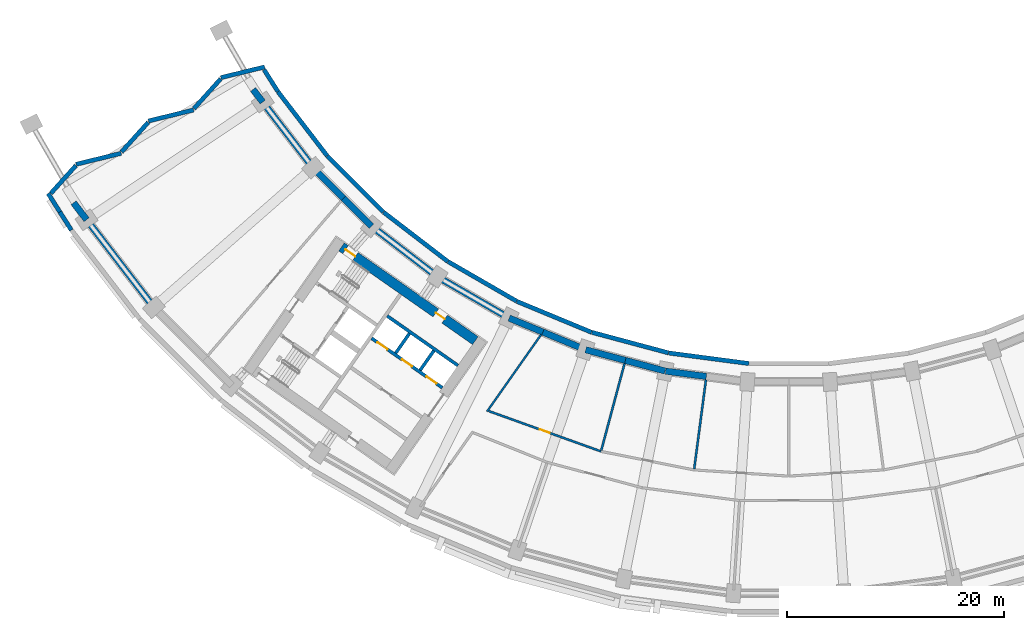
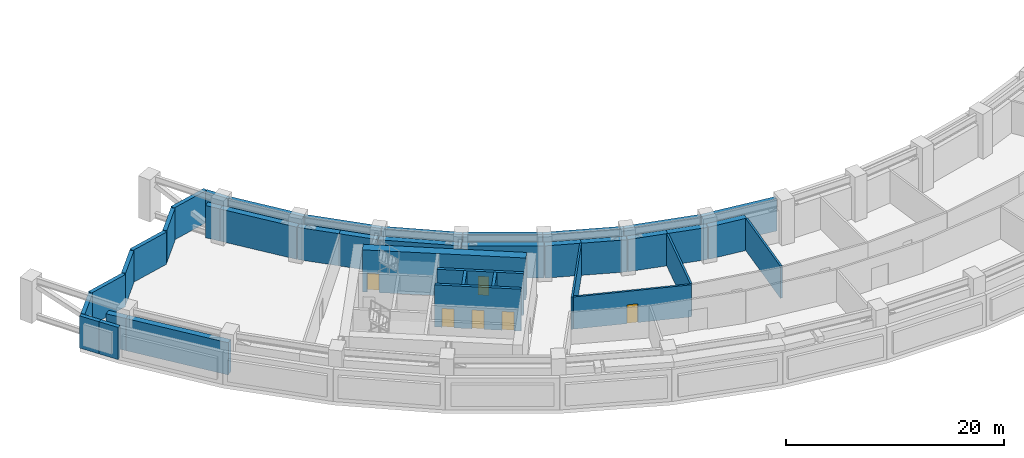
# One storey, part 6 of 25: 38 walls, 6 doors, 6 openings.
"""IFC4 building model written with IfcOpenShell, lengths in metres."""

from ifc_helpers import new_model, si_unit, direction, frame, frame_2d, origin, place, context, subcontext, project, spatial, rectangle, extrude, material, layer, layer_set, type_object, element, fill, save


model = new_model("IFC4")

# Units and contexts
model_context = context("Model", 3, precision=1e-05, world=origin(), true_north=direction((0.0, 1.0)))
body_context = subcontext(model_context, "Body", "Model", "MODEL_VIEW")
ifc_project = project(units=[si_unit("LENGTHUNIT", "METRE"), si_unit("AREAUNIT", "SQUARE_METRE"), si_unit("VOLUMEUNIT", "CUBIC_METRE"), si_unit("PLANEANGLEUNIT", "RADIAN"), si_unit("MASSUNIT", "GRAM", prefix="KILO")], contexts=[model_context])

# Site, building, storey
site_placement = place(None, origin())
site = spatial("IfcSite", under=ifc_project, at=site_placement, CompositionType="ELEMENT")
building_placement = place(site_placement, origin())
building = spatial("IfcBuilding", under=site, at=building_placement, Name="Qamariyya Broadcast Tower", CompositionType="ELEMENT")
storey_placement = place(building_placement, frame((0.0, 0.0, 89.89990234375)))
storey = spatial("IfcBuildingStorey", under=building, at=storey_placement, Name="L19", CompositionType="ELEMENT", Elevation=89.89990234375)

# Wall, openings, doors
ifc_material_1 = material(Name="Concrete C70/85", Category="concrete")
ifc_layer_1 = layer(ifc_material_1, 0.89990234375)
ifc_layer_set_1 = layer_set([ifc_layer_1], Name="Core wall 900 mm Concrete C70/85")
wall_type_1 = type_object("IfcWallType", Name="Core wall 900 mm Concrete C70/85", PredefinedType="SHEAR", material=ifc_layer_set_1)
wall_1_placement = place(storey_placement, frame((-28.8544921875, -54.32421875, 0.0), z_axis=(0.0, 0.0, 1.0), x_axis=(-0.819145767589, 0.573585400304, 0.0)))
wall_1 = element("IfcWall", 1, at=wall_1_placement, inside=storey, type_object=wall_type_1, Name="k-W-L19-WI", PredefinedType="SHEAR", context=body_context, shape_type="SweptSolid", body=[
    extrude(rectangle(XDim=15.04541015625, YDim=0.89990234375, at=frame_2d((7.522705078125, 0.0))), origin(), (0.0, 0.0, 1.0), 4.7001953125),
])
opening_1_placement = place(wall_1_placement, frame((3.449951171875, 0.0, 0.0)))
opening_1 = element("IfcOpeningElement", 2, at=opening_1_placement, cuts=wall_1, Name="Opening KD4-W2", PredefinedType="OPENING", context=body_context, shape_type="SweptSolid", body=[
    extrude(rectangle(XDim=1.0, YDim=2.10009765625, at=frame_2d((0.5, 1.050048828125))), frame((0.0, 0.4599609375, 0.0), z_axis=(0.0, -1.0, 0.0), x_axis=(1.0, 0.0, 0.0)), (0.0, 0.0, 1.0), 0.919921875),
])
opening_2_placement = place(wall_1_placement, frame((13.495361328125, 0.0, 0.0)))
opening_2 = element("IfcOpeningElement", 3, at=opening_2_placement, cuts=wall_1, Name="Opening KD1-W1", PredefinedType="OPENING", context=body_context, shape_type="SweptSolid", body=[
    extrude(rectangle(XDim=1.10009765625, YDim=2.10009765625, at=frame_2d((0.550048828125, 1.050048828125))), frame((0.0, 0.4599609375, 0.0), z_axis=(0.0, -1.0, 0.0), x_axis=(1.0, 0.0, 0.0)), (0.0, 0.0, 1.0), 0.919921875),
])
ifc_material_2 = material(Name="Steel fire-resisting door leaf", Category="steel")
door_type_1 = type_object("IfcDoorType", Name="Riser and plant door KD4", OperationType="SINGLE_SWING_LEFT", PredefinedType="DOOR", material=ifc_material_2)
door_1_placement = place(opening_1_placement, origin())
door_1 = element("IfcDoor", 4, at=door_1_placement, inside=storey, type_object=door_type_1, Name="k-W-L19-WI-D6", OperationType="SINGLE_SWING_LEFT", OverallHeight=2.10009765625, OverallWidth=1.0, PredefinedType="DOOR", context=body_context, shape_type="SweptSolid", body=[
    extrude(rectangle(XDim=1.0, YDim=2.10009765625, at=frame_2d((0.5, 1.050048828125))), frame((0.0, 0.02490234375, 0.0), z_axis=(0.0, -1.0, 0.0), x_axis=(1.0, 0.0, 0.0)), (0.0, 0.0, 1.0), 0.050048828125),
])
fill(opening_1, door_1)
door_type_2 = type_object("IfcDoorType", Name="Stair door KD1", OperationType="SINGLE_SWING_LEFT", PredefinedType="DOOR", material=ifc_material_2)
door_2_placement = place(opening_2_placement, origin())
door_2 = element("IfcDoor", 5, at=door_2_placement, inside=storey, type_object=door_type_2, Name="k-W-L19-WI-D11", OperationType="SINGLE_SWING_RIGHT", OverallHeight=2.10009765625, OverallWidth=1.10009765625, PredefinedType="DOOR", context=body_context, shape_type="SweptSolid", body=[
    extrude(rectangle(XDim=1.10009765625, YDim=2.10009765625, at=frame_2d((0.550048828125, 1.050048828125))), frame((0.0, 0.02490234375, 0.0), z_axis=(0.0, -1.0, 0.0), x_axis=(1.0, 0.0, 0.0)), (0.0, 0.0, 1.0), 0.050048828125),
])
fill(opening_2, door_2)

ifc_material_3 = material(Name="Concrete C60/75", Category="concrete")
ifc_layer_2 = layer(ifc_material_3, 0.300048828125)
ifc_layer_set_2 = layer_set([ifc_layer_2], Name="Lift shaft wall 300 mm Concrete C60/75")
wall_type_2 = type_object("IfcWallType", Name="Lift shaft wall 300 mm Concrete C60/75", PredefinedType="SOLIDWALL", material=ifc_layer_set_2)
wall_2_placement = place(storey_placement, frame((-31.89453125, -58.66552734375, 0.0), z_axis=(0.0, 0.0, 1.0), x_axis=(-0.819166993208, 0.573555086491, 0.0)))
wall_2 = element("IfcWall", 6, at=wall_2_placement, inside=storey, type_object=wall_type_2, Name="k-W-L19-NF0", PredefinedType="SOLIDWALL", context=body_context, shape_type="SweptSolid", body=[
    extrude(rectangle(XDim=7.9501953125, YDim=0.300048828125, at=frame_2d((3.97509765625, 0.0))), origin(), (0.0, 0.0, 1.0), 4.7001953125),
])
opening_3_placement = place(wall_2_placement, frame((0.675048828125, 0.0, 0.0)))
opening_3 = element("IfcOpeningElement", 7, at=opening_3_placement, cuts=wall_2, Name="Opening LD", PredefinedType="OPENING", context=body_context, shape_type="SweptSolid", body=[
    extrude(rectangle(XDim=1.10009765625, YDim=2.10009765625, at=frame_2d((0.550048828125, 1.050048828125))), frame((0.0, 0.159912109375, 0.0), z_axis=(0.0, -1.0, 0.0), x_axis=(1.0, 0.0, 0.0)), (0.0, 0.0, 1.0), 0.320068359375),
])
opening_4_placement = place(wall_2_placement, frame((3.425048828125, 0.0, 0.0)))
opening_4 = element("IfcOpeningElement", 8, at=opening_4_placement, cuts=wall_2, Name="Opening LD", PredefinedType="OPENING", context=body_context, shape_type="SweptSolid", body=[
    extrude(rectangle(XDim=1.10009765625, YDim=2.10009765625, at=frame_2d((0.550048828125, 1.050048828125))), frame((0.0, 0.159912109375, 0.0), z_axis=(0.0, -1.0, 0.0), x_axis=(1.0, 0.0, 0.0)), (0.0, 0.0, 1.0), 0.320068359375),
])
opening_5_placement = place(wall_2_placement, frame((6.175048828125, 0.0, 0.0)))
opening_5 = element("IfcOpeningElement", 9, at=opening_5_placement, cuts=wall_2, Name="Opening LD", PredefinedType="OPENING", context=body_context, shape_type="SweptSolid", body=[
    extrude(rectangle(XDim=1.10009765625, YDim=2.10009765625, at=frame_2d((0.550048828125, 1.050048828125))), frame((0.0, 0.159912109375, 0.0), z_axis=(0.0, -1.0, 0.0), x_axis=(1.0, 0.0, 0.0)), (0.0, 0.0, 1.0), 0.320068359375),
])
door_type_3 = type_object("IfcDoorType", Name="Lift landing door LD", OperationType="DOUBLE_DOOR_SLIDING", PredefinedType="DOOR", material=ifc_material_2)
door_3_placement = place(opening_3_placement, origin())
door_3 = element("IfcDoor", 10, at=door_3_placement, inside=storey, type_object=door_type_3, Name="k-W-L19-NF0-D2", OperationType="DOUBLE_DOOR_SLIDING", OverallHeight=2.10009765625, OverallWidth=1.10009765625, PredefinedType="DOOR", context=body_context, shape_type="SweptSolid", body=[
    extrude(rectangle(XDim=1.10009765625, YDim=2.10009765625, at=frame_2d((0.550048828125, 1.050048828125))), frame((0.0, 0.02490234375, 0.0), z_axis=(0.0, -1.0, 0.0), x_axis=(1.0, 0.0, 0.0)), (0.0, 0.0, 1.0), 0.050048828125),
])
fill(opening_3, door_3)
door_4_placement = place(opening_4_placement, origin())
door_4 = element("IfcDoor", 11, at=door_4_placement, inside=storey, type_object=door_type_3, Name="k-W-L19-NF0-D3", OperationType="DOUBLE_DOOR_SLIDING", OverallHeight=2.10009765625, OverallWidth=1.10009765625, PredefinedType="DOOR", context=body_context, shape_type="SweptSolid", body=[
    extrude(rectangle(XDim=1.10009765625, YDim=2.10009765625, at=frame_2d((0.550048828125, 1.050048828125))), frame((0.0, 0.02490234375, 0.0), z_axis=(0.0, -1.0, 0.0), x_axis=(1.0, 0.0, 0.0)), (0.0, 0.0, 1.0), 0.050048828125),
])
fill(opening_4, door_4)
door_5_placement = place(opening_5_placement, origin())
door_5 = element("IfcDoor", 12, at=door_5_placement, inside=storey, type_object=door_type_3, Name="k-W-L19-NF0-D4", OperationType="DOUBLE_DOOR_SLIDING", OverallHeight=2.10009765625, OverallWidth=1.10009765625, PredefinedType="DOOR", context=body_context, shape_type="SweptSolid", body=[
    extrude(rectangle(XDim=1.10009765625, YDim=2.10009765625, at=frame_2d((0.550048828125, 1.050048828125))), frame((0.0, 0.02490234375, 0.0), z_axis=(0.0, -1.0, 0.0), x_axis=(1.0, 0.0, 0.0)), (0.0, 0.0, 1.0), 0.050048828125),
])
fill(opening_5, door_5)

# Walls
wall_3_placement = place(storey_placement, frame((-30.460693359375, -56.61767578125, 0.0), z_axis=(0.0, 0.0, 1.0), x_axis=(-0.819142461705, 0.573590121456, 0.0)))
element("IfcWall", 13, at=wall_3_placement, inside=storey, type_object=wall_type_2, Name="k-W-L19-NB0", PredefinedType="SOLIDWALL", context=body_context, shape_type="SweptSolid", body=[
    extrude(rectangle(XDim=7.949951171875, YDim=0.300048828125, at=frame_2d((3.97509765625, 0.0))), origin(), (0.0, 0.0, 1.0), 4.7001953125),
])
wall_4_placement = place(storey_placement, frame((-33.9384765625, -57.051513671875, 0.0), z_axis=(0.0, 0.0, 1.0), x_axis=(0.573581496053, 0.819148501424, 0.0)))
element("IfcWall", 14, at=wall_4_placement, inside=storey, type_object=wall_type_2, Name="k-W-L19-ND0", PredefinedType="SOLIDWALL", context=body_context, shape_type="SweptSolid", body=[
    extrude(rectangle(XDim=2.2001953125, YDim=0.300048828125, at=frame_2d((1.10009765625, 0.0))), origin(), (0.0, 0.0, 1.0), 4.7001953125),
])
wall_5_placement = place(storey_placement, frame((-36.19091796875, -55.47412109375, 0.0), z_axis=(0.0, 0.0, 1.0), x_axis=(0.573507030513, 0.819200638399, 0.0)))
element("IfcWall", 15, at=wall_5_placement, inside=storey, type_object=wall_type_2, Name="k-W-L19-ND1", PredefinedType="SOLIDWALL", context=body_context, shape_type="SweptSolid", body=[
    extrude(rectangle(XDim=2.199951171875, YDim=0.300048828125, at=frame_2d((1.10009765625, 0.0))), origin(), (0.0, 0.0, 1.0), 4.7001953125),
])

# Wall, opening, door
ifc_material_4 = material(Name="Masonry block wall", Category="masonry")
ifc_layer_3 = layer(ifc_material_4, 0.199951171875)
ifc_layer_set_3 = layer_set([ifc_layer_3], Name="Plant room wall 200 EI 120")
wall_type_3 = type_object("IfcWallType", Name="Plant room wall 200 EI 120", PredefinedType="PARTITIONING", material=ifc_layer_set_3)
wall_6_placement = place(storey_placement, frame((-27.64208984375, -60.80419921875, 0.0), z_axis=(0.0, 0.0, 1.0), x_axis=(0.941100538557, -0.338126864251, 0.0)))
wall_6 = element("IfcWall", 16, at=wall_6_placement, inside=storey, type_object=wall_type_3, Name="Partition L19-017", PredefinedType="PARTITIONING", context=body_context, shape_type="SweptSolid", body=[
    extrude(rectangle(XDim=11.0009765625, YDim=0.199951171875, at=frame_2d((5.50048828125, 0.0))), origin(), (0.0, 0.0, 1.0), 3.60009765625),
])
opening_6_placement = place(wall_6_placement, frame((5.00048828125, 0.0, 0.0)))
opening_6 = element("IfcOpeningElement", 17, at=opening_6_placement, cuts=wall_6, Name="Opening L19-D06", PredefinedType="OPENING", context=body_context, shape_type="SweptSolid", body=[
    extrude(rectangle(XDim=1.0, YDim=2.10009765625, at=frame_2d((0.5, 1.050048828125))), frame((0.0, 0.10986328125, 0.0), z_axis=(0.0, -1.0, 0.0), x_axis=(1.0, 0.0, 0.0)), (0.0, 0.0, 1.0), 0.219970703125),
])
ifc_material_5 = material(Name="Insulated metal door leaf")
door_type_4 = type_object("IfcDoorType", Name="Plant door 1000 x 2100 FD120", OperationType="NOTDEFINED", PredefinedType="DOOR", material=ifc_material_5)
door_6_placement = place(opening_6_placement, origin())
door_6 = element("IfcDoor", 18, at=door_6_placement, inside=storey, type_object=door_type_4, Name="Door L19-D06", OperationType="SINGLE_SWING_RIGHT", OverallHeight=2.10009765625, OverallWidth=1.0, PredefinedType="DOOR", context=body_context, shape_type="SweptSolid", body=[
    extrude(rectangle(XDim=1.0, YDim=2.10009765625, at=frame_2d((0.5, 1.050048828125))), frame((0.0, 0.02490234375, 0.0), z_axis=(0.0, -1.0, 0.0), x_axis=(1.0, 0.0, 0.0)), (0.0, 0.0, 1.0), 0.050048828125),
])
fill(opening_6, door_6)

# Walls
for number, where, z_axis, x_axis, name in (
    (19, (-15.12158203125, -56.4345703125, 0.0), (0.0, 0.0, 1.0), (-0.258815723485, -0.965926716308, 0.0), "Partition L19-027"),
    (20, (-7.6259765625, -57.925537109375, 0.0), (0.0, 0.0, 1.0), (-0.130528544963, -0.991444551626, 0.0), "Partition L19-032"),
):
    element("IfcWall", number, at=place(storey_placement, frame(where, z_axis=z_axis, x_axis=x_axis)), inside=storey, type_object=wall_type_3, Name=name, PredefinedType="PARTITIONING", context=body_context, shape_type="SweptSolid", body=[
        extrude(rectangle(XDim=8.274658203125, YDim=0.199951171875, at=frame_2d((4.13720703125, 0.0))), origin(), (0.0, 0.0, 1.0), 3.60009765625),
    ])
ifc_material_6 = material(Name="Gypsum board partition")
ifc_layer_4 = layer(ifc_material_6, 0.179931640625)
ifc_layer_set_4 = layer_set([ifc_layer_4], Name="Studio acoustic partition 180 EI 60")
wall_type_4 = type_object("IfcWallType", Name="Studio acoustic partition 180 EI 60", PredefinedType="PARTITIONING", material=ifc_layer_set_4)
wall_7_placement = place(storey_placement, frame((-22.80859375, -53.783447265625, 0.0), z_axis=(0.0, 0.0, 1.0), x_axis=(-0.575419971745, -0.817858090452, 0.0)))
element("IfcWall", 21, at=wall_7_placement, inside=storey, type_object=wall_type_4, Name="Partition L19-021", PredefinedType="PARTITIONING", context=body_context, shape_type="SweptSolid", body=[
    extrude(rectangle(XDim=8.647216796875, YDim=0.179931640625, at=frame_2d((4.32373046875, 0.0))), origin(), (0.0, 0.0, 1.0), 3.60009765625),
])
ifc_material_7 = material(Name="Terracotta", Category="masonry")
ifc_layer_5 = layer(ifc_material_7, 0.39990234375)
ifc_layer_set_5 = layer_set([ifc_layer_5], Name="Terracotta clad plant wall 400")
wall_type_5 = type_object("IfcWallType", Name="Terracotta clad plant wall 400", PredefinedType="SOLIDWALL", material=ifc_layer_set_5)
wall_8_placement = place(storey_placement, frame((-48.256103515625, -29.127197265625, 0.0), z_axis=(0.0, 0.0, 1.0), x_axis=(-0.971599606195, -0.236630947347, 0.0)))
element("IfcWall", 22, at=wall_8_placement, inside=storey, type_object=wall_type_5, Name="e-wl-L19-capW0", PredefinedType="SOLIDWALL", context=body_context, shape_type="SweptSolid", body=[
    extrude(rectangle(XDim=4.1474609375, YDim=0.39990234375, at=frame_2d((2.07373046875, 0.0))), origin(), (0.0, 0.0, 1.0), 3.60009765625),
])
wall_9_placement = place(storey_placement, frame((-52.31494140625, -30.23388671875, 0.0), z_axis=(0.0, 0.0, 1.0), x_axis=(-0.668791930539, -0.743449630874, 0.0)))
element("IfcWall", 23, at=wall_9_placement, inside=storey, type_object=wall_type_5, Name="e-wl-L19-capW1", PredefinedType="SOLIDWALL", context=body_context, shape_type="SweptSolid", body=[
    extrude(rectangle(XDim=3.669189453125, YDim=0.39990234375, at=frame_2d((1.83447265625, 0.0))), origin(), (0.0, 0.0, 1.0), 3.60009765625),
])
wall_10_placement = place(storey_placement, frame((-54.798095703125, -33.0869140625, 0.0), z_axis=(0.0, 0.0, 1.0), x_axis=(-0.97158316365, -0.236698449745, 0.0)))
element("IfcWall", 24, at=wall_10_placement, inside=storey, type_object=wall_type_5, Name="e-wl-L19-capW2", PredefinedType="SOLIDWALL", context=body_context, shape_type="SweptSolid", body=[
    extrude(rectangle(XDim=4.2744140625, YDim=0.39990234375, at=frame_2d((2.13720703125, 0.0))), origin(), (0.0, 0.0, 1.0), 3.60009765625),
])
wall_11_placement = place(storey_placement, frame((-58.97998046875, -34.223876953125, 0.0), z_axis=(0.0, 0.0, 1.0), x_axis=(-0.66870725962, -0.74352579036, 0.0)))
element("IfcWall", 25, at=wall_11_placement, inside=storey, type_object=wall_type_5, Name="e-wl-L19-capW3", PredefinedType="SOLIDWALL", context=body_context, shape_type="SweptSolid", body=[
    extrude(rectangle(XDim=3.667724609375, YDim=0.39990234375, at=frame_2d((1.833984375, 0.0))), origin(), (0.0, 0.0, 1.0), 3.60009765625),
])
wall_12_placement = place(storey_placement, frame((-61.4619140625, -37.076171875, 0.0), z_axis=(0.0, 0.0, 1.0), x_axis=(-0.971569694649, -0.236753729518, 0.0)))
element("IfcWall", 26, at=wall_12_placement, inside=storey, type_object=wall_type_5, Name="e-wl-L19-capW4", PredefinedType="SOLIDWALL", context=body_context, shape_type="SweptSolid", body=[
    extrude(rectangle(XDim=4.275390625, YDim=0.39990234375, at=frame_2d((2.1376953125, 0.0))), origin(), (0.0, 0.0, 1.0), 3.60009765625),
])
wall_13_placement = place(storey_placement, frame((-65.644775390625, -38.213623046875, 0.0), z_axis=(0.0, 0.0, 1.0), x_axis=(-0.668632717238, -0.743592825032, 0.0)))
element("IfcWall", 27, at=wall_13_placement, inside=storey, type_object=wall_type_5, Name="e-wl-L19-capW5", PredefinedType="SOLIDWALL", context=body_context, shape_type="SweptSolid", body=[
    extrude(rectangle(XDim=3.413330078125, YDim=0.39990234375, at=frame_2d((1.70654296875, 0.0))), origin(), (0.0, 0.0, 1.0), 3.60009765625),
])
wall_14_placement = place(storey_placement, frame((-47.03759765625, -31.388916015625, 0.0), z_axis=(0.0, 0.0, 1.0), x_axis=(-0.534817117293, 0.844967840246, 0.0)))
element("IfcWall", 28, at=wall_14_placement, inside=storey, type_object=wall_type_5, Name="e-wl-L19-in00", PredefinedType="SOLIDWALL", context=body_context, shape_type="SweptSolid", body=[
    extrude(rectangle(XDim=2.373291015625, YDim=0.39990234375, at=frame_2d((1.1865234375, 0.0))), origin(), (0.0, 0.0, 1.0), 3.60009765625),
])
wall_15_placement = place(storey_placement, frame((-42.501708984375, -37.30615234375, 0.0), z_axis=(0.0, 0.0, 1.0), x_axis=(-0.60873951703, 0.793370153463, 0.0)))
element("IfcWall", 29, at=wall_15_placement, inside=storey, type_object=wall_type_5, Name="e-wl-L19-in10", PredefinedType="SOLIDWALL", context=body_context, shape_type="SweptSolid", body=[
    extrude(rectangle(XDim=7.43798828125, YDim=0.39990234375, at=frame_2d((3.718994140625, 0.0))), origin(), (0.0, 0.0, 1.0), 3.60009765625),
])
wall_16_placement = place(storey_placement, frame((-37.322265625, -42.48095703125, 0.0), z_axis=(0.0, 0.0, 1.0), x_axis=(-0.707106781187, 0.707106781187, 0.0)))
element("IfcWall", 30, at=wall_16_placement, inside=storey, type_object=wall_type_5, Name="e-wl-L19-in20", PredefinedType="SOLIDWALL", context=body_context, shape_type="SweptSolid", body=[
    extrude(rectangle(XDim=7.29541015625, YDim=0.39990234375, at=frame_2d((3.647705078125, 0.0))), origin(), (0.0, 0.0, 1.0), 3.60009765625),
])
wall_17_placement = place(storey_placement, frame((-31.39794921875, -47.03515625, 0.0), z_axis=(0.0, 0.0, 1.0), x_axis=(-0.793358297773, 0.608754968238, 0.0)))
element("IfcWall", 31, at=wall_17_placement, inside=storey, type_object=wall_type_5, Name="e-wl-L19-in30", PredefinedType="SOLIDWALL", context=body_context, shape_type="SweptSolid", body=[
    extrude(rectangle(XDim=7.447021484375, YDim=0.39990234375, at=frame_2d((3.7236328125, 0.0))), origin(), (0.0, 0.0, 1.0), 3.60009765625),
])
wall_18_placement = place(storey_placement, frame((-25.0556640625, -50.693115234375, 0.0), z_axis=(0.0, 0.0, 1.0), x_axis=(-0.866028991865, 0.49999378521, 0.0)))
element("IfcWall", 32, at=wall_18_placement, inside=storey, type_object=wall_type_5, Name="e-wl-L19-in40", PredefinedType="SOLIDWALL", context=body_context, shape_type="SweptSolid", body=[
    extrude(rectangle(XDim=7.29541015625, YDim=0.39990234375, at=frame_2d((3.647705078125, 0.0))), origin(), (0.0, 0.0, 1.0), 3.60009765625),
])
wall_19_placement = place(storey_placement, frame((-18.154541015625, -53.558837890625, 0.0), z_axis=(0.0, 0.0, 1.0), x_axis=(-0.923878980802, 0.382684764306, 0.0)))
element("IfcWall", 33, at=wall_19_placement, inside=storey, type_object=wall_type_5, Name="e-wl-L19-in50", PredefinedType="SOLIDWALL", context=body_context, shape_type="SweptSolid", body=[
    extrude(rectangle(XDim=7.447021484375, YDim=0.39990234375, at=frame_2d((3.7236328125, 0.0))), origin(), (0.0, 0.0, 1.0), 3.60009765625),
])
wall_20_placement = place(storey_placement, frame((-11.08154296875, -55.45068359375, 0.0), z_axis=(0.0, 0.0, 1.0), x_axis=(-0.965926541514, 0.258816375834, 0.0)))
element("IfcWall", 34, at=wall_20_placement, inside=storey, type_object=wall_type_5, Name="e-wl-L19-in60", PredefinedType="SOLIDWALL", context=body_context, shape_type="SweptSolid", body=[
    extrude(rectangle(XDim=7.29541015625, YDim=0.39990234375, at=frame_2d((3.647705078125, 0.0))), origin(), (0.0, 0.0, 1.0), 3.60009765625),
])
wall_21_placement = place(storey_placement, frame((-3.673828125, -56.4326171875, 0.0), z_axis=(0.0, 0.0, 1.0), x_axis=(-0.991442463474, 0.130544404786, 0.0)))
element("IfcWall", 35, at=wall_21_placement, inside=storey, type_object=wall_type_5, Name="e-wl-L19-in70", PredefinedType="SOLIDWALL", context=body_context, shape_type="SweptSolid", body=[
    extrude(rectangle(XDim=7.447021484375, YDim=0.39990234375, at=frame_2d((3.7236328125, 0.0))), origin(), (0.0, 0.0, 1.0), 3.60009765625),
])
wall_22_placement = place(storey_placement, frame((-68.19140625, -40.7724609375, 0.0), z_axis=(0.0, 0.0, 1.0), x_axis=(0.534740631213, -0.845016246785, 0.0)))
element("IfcWall", 36, at=wall_22_placement, inside=storey, type_object=wall_type_5, Name="e-wl-L19-out00", PredefinedType="SOLIDWALL", context=body_context, shape_type="SweptSolid", body=[
    extrude(rectangle(XDim=2.014404296875, YDim=0.39990234375, at=frame_2d((1.00732421875, 0.0))), origin(), (0.0, 0.0, 1.0), 3.60009765625),
])
wall_23_placement = place(storey_placement, frame((-67.1142578125, -42.474609375, 0.0), z_axis=(0.0, 0.0, 1.0), x_axis=(0.53475095045, -0.845009716508, 0.0)))
element("IfcWall", 37, at=wall_23_placement, inside=storey, type_object=wall_type_5, Name="e-wl-L19-out01", PredefinedType="SOLIDWALL", context=body_context, shape_type="SweptSolid", body=[
    extrude(rectangle(XDim=1.98681640625, YDim=0.39990234375, at=frame_2d((0.993408203125, 0.0))), origin(), (0.0, 0.0, 1.0), 3.60009765625),
])
ifc_layer_6 = layer(ifc_material_4, 0.60009765625)
ifc_layer_set_6 = layer_set([ifc_layer_6], Name="Truss casing wall 600 EI 120")
wall_type_6 = type_object("IfcWallType", Name="Truss casing wall 600 EI 120", PredefinedType="PARTITIONING", material=ifc_layer_set_6)
wall_24_placement = place(storey_placement, frame((-65.845703125, -41.633056640625, 0.0), z_axis=(0.0, 0.0, 1.0), x_axis=(0.608744279495, -0.793366499281, 0.0)))
element("IfcWall", 38, at=wall_24_placement, inside=storey, type_object=wall_type_6, Name="Partition L19-001", PredefinedType="PARTITIONING", context=body_context, shape_type="SweptSolid", body=[
    extrude(rectangle(XDim=1.96630859375, YDim=0.60009765625, at=frame_2d((0.983154296875, 0.0))), origin(), (0.0, 0.0, 1.0), 3.60009765625),
])
wall_25_placement = place(storey_placement, frame((-64.64501953125, -43.197998046875, 0.0), z_axis=(0.0, 0.0, 1.0), x_axis=(0.608777573681, -0.793340951787, 0.0)))
element("IfcWall", 39, at=wall_25_placement, inside=storey, type_object=wall_type_6, Name="Partition L19-002", PredefinedType="PARTITIONING", context=body_context, shape_type="SweptSolid", body=[
    extrude(rectangle(XDim=10.14453125, YDim=0.60009765625, at=frame_2d((5.072265625, 0.0))), origin(), (0.0, 0.0, 1.0), 3.60009765625),
])
wall_26_placement = place(storey_placement, frame((-49.32275390625, -31.202392578125, 0.0), z_axis=(0.0, 0.0, 1.0), x_axis=(0.608747741754, -0.793363842704, 0.0)))
element("IfcWall", 40, at=wall_26_placement, inside=storey, type_object=wall_type_6, Name="Partition L19-006", PredefinedType="PARTITIONING", context=body_context, shape_type="SweptSolid", body=[
    extrude(rectangle(XDim=1.458740234375, YDim=0.60009765625, at=frame_2d((0.7294921875, 0.0))), origin(), (0.0, 0.0, 1.0), 3.60009765625),
])
wall_27_placement = place(storey_placement, frame((-48.431396484375, -32.3642578125, 0.0), z_axis=(0.0, 0.0, 1.0), x_axis=(0.608775025132, -0.793342907434, 0.0)))
element("IfcWall", 41, at=wall_27_placement, inside=storey, type_object=wall_type_6, Name="Partition L19-007", PredefinedType="PARTITIONING", context=body_context, shape_type="SweptSolid", body=[
    extrude(rectangle(XDim=7.593994140625, YDim=0.60009765625, at=frame_2d((3.796875, 0.0))), origin(), (0.0, 0.0, 1.0), 3.60009765625),
])
wall_28_placement = place(storey_placement, frame((-43.778564453125, -38.4228515625, 0.0), z_axis=(0.0, 0.0, 1.0), x_axis=(0.707075708448, -0.70713785256, 0.0)))
element("IfcWall", 42, at=wall_28_placement, inside=storey, type_object=wall_type_6, Name="Partition L19-008", PredefinedType="PARTITIONING", context=body_context, shape_type="SweptSolid", body=[
    extrude(rectangle(XDim=3.9287109375, YDim=0.60009765625, at=frame_2d((1.96435546875, 0.0))), origin(), (0.0, 0.0, 1.0), 3.60009765625),
])
wall_29_placement = place(storey_placement, frame((-41.000732421875, -41.200927734375, 0.0), z_axis=(0.0, 0.0, 1.0), x_axis=(0.707140265585, -0.707073295203, 0.0)))
element("IfcWall", 43, at=wall_29_placement, inside=storey, type_object=wall_type_6, Name="Partition L19-011", PredefinedType="PARTITIONING", context=body_context, shape_type="SweptSolid", body=[
    extrude(rectangle(XDim=3.6455078125, YDim=0.60009765625, at=frame_2d((1.82275390625, 0.0))), origin(), (0.0, 0.0, 1.0), 3.60009765625),
])
for number, where, z_axis, x_axis, name in (
    (44, (-38.388916015625, -43.808349609375, 0.0), (0.0, 0.0, 1.0), (0.793356751967, -0.6087569828, 0.0), "Partition L19-012"),
    (45, (-32.34228515625, -48.4443359375, 0.0), (0.0, 0.0, 1.0), (0.866020793316, -0.500007985481, 0.0), "Partition L19-014"),
):
    element("IfcWall", number, at=place(storey_placement, frame(where, z_axis=z_axis, x_axis=x_axis)), inside=storey, type_object=wall_type_6, Name=name, PredefinedType="PARTITIONING", context=body_context, shape_type="SweptSolid", body=[
        extrude(rectangle(XDim=7.57421875, YDim=0.60009765625, at=frame_2d((3.787109375, 0.0))), origin(), (0.0, 0.0, 1.0), 3.60009765625),
    ])
wall_30_placement = place(storey_placement, frame((-25.742431640625, -52.25146484375, 0.0), z_axis=(0.0, 0.0, 1.0), x_axis=(0.923891170736, -0.382655333997, 0.0)))
element("IfcWall", 46, at=wall_30_placement, inside=storey, type_object=wall_type_6, Name="Partition L19-018", PredefinedType="PARTITIONING", context=body_context, shape_type="SweptSolid", body=[
    extrude(rectangle(XDim=3.3623046875, YDim=0.60009765625, at=frame_2d((1.68115234375, 0.0))), origin(), (0.0, 0.0, 1.0), 3.60009765625),
])
wall_31_placement = place(storey_placement, frame((-22.635986328125, -53.5380859375, 0.0), z_axis=(0.0, 0.0, 1.0), x_axis=(0.923874116934, -0.382696506463, 0.0)))
element("IfcWall", 47, at=wall_31_placement, inside=storey, type_object=wall_type_6, Name="Partition L19-022", PredefinedType="PARTITIONING", context=body_context, shape_type="SweptSolid", body=[
    extrude(rectangle(XDim=4.211669921875, YDim=0.60009765625, at=frame_2d((2.10595703125, 0.0))), origin(), (0.0, 0.0, 1.0), 3.60009765625),
])
wall_32_placement = place(storey_placement, frame((-18.701904296875, -55.16455078125, 0.0), z_axis=(0.0, 0.0, 1.0), x_axis=(0.965920713003, -0.258838127392, 0.0)))
element("IfcWall", 48, at=wall_32_placement, inside=storey, type_object=wall_type_6, Name="Partition L19-024", PredefinedType="PARTITIONING", context=body_context, shape_type="SweptSolid", body=[
    extrude(rectangle(XDim=3.787109375, YDim=0.60009765625, at=frame_2d((1.8935546875, 0.0))), origin(), (0.0, 0.0, 1.0), 3.60009765625),
])
wall_33_placement = place(storey_placement, frame((-15.0439453125, -56.144775390625, 0.0), z_axis=(0.0, 0.0, 1.0), x_axis=(0.965936829447, -0.258777977267, 0.0)))
element("IfcWall", 49, at=wall_33_placement, inside=storey, type_object=wall_type_6, Name="Partition L19-028", PredefinedType="PARTITIONING", context=body_context, shape_type="SweptSolid", body=[
    extrude(rectangle(XDim=3.786865234375, YDim=0.60009765625, at=frame_2d((1.8935546875, 0.0))), origin(), (0.0, 0.0, 1.0), 3.60009765625),
])
wall_34_placement = place(storey_placement, frame((-11.341552734375, -57.1337890625, 0.0), z_axis=(0.0, 0.0, 1.0), x_axis=(0.991450564869, -0.130482862559, 0.0)))
element("IfcWall", 50, at=wall_34_placement, inside=storey, type_object=wall_type_6, Name="Partition L19-030", PredefinedType="PARTITIONING", context=body_context, shape_type="SweptSolid", body=[
    extrude(rectangle(XDim=3.787109375, YDim=0.60009765625, at=frame_2d((1.8935546875, 0.0))), origin(), (0.0, 0.0, 1.0), 3.60009765625),
])

save(model, "model.ifc")
